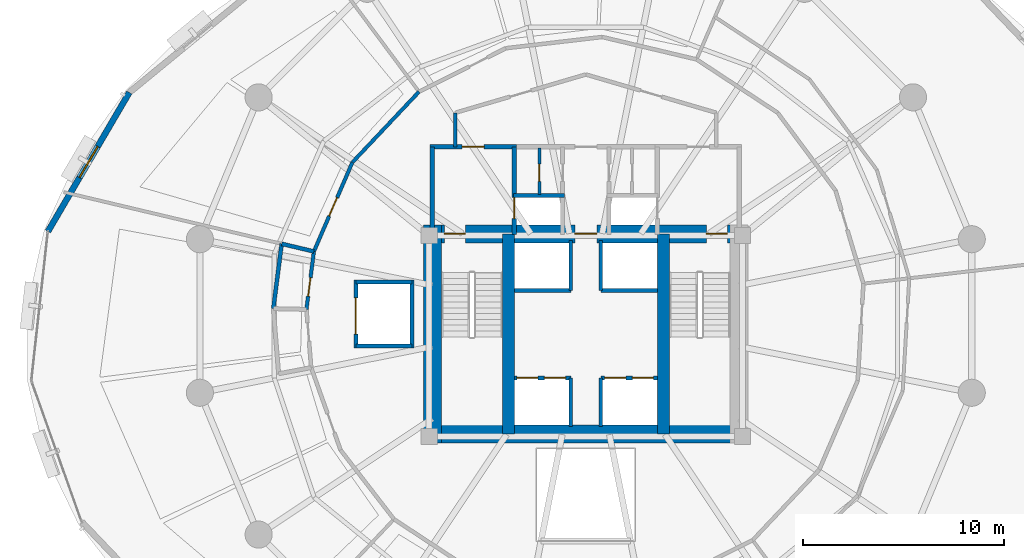
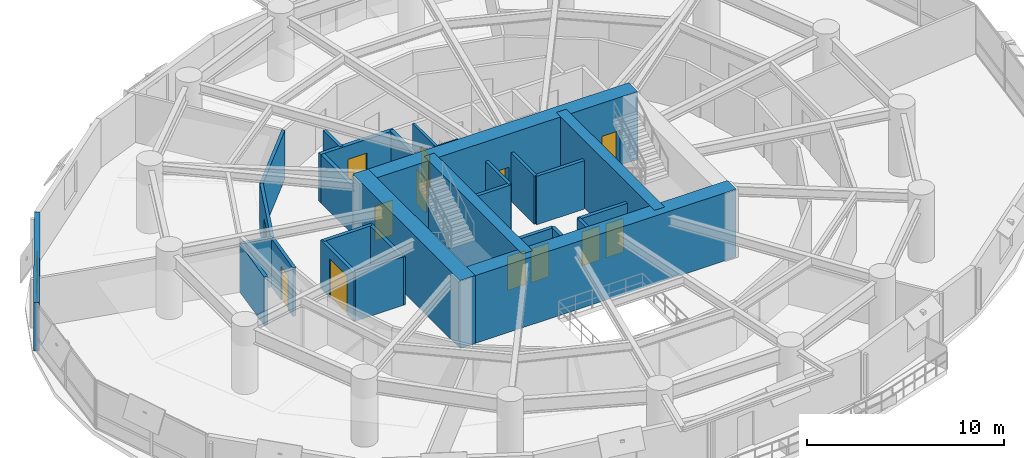
# One storey, part 12 of 17: 29 walls, 13 doors, 1 window, 14 openings.
"""IFC4 building model written with IfcOpenShell, lengths in metres."""

from ifc_helpers import new_model, si_unit, direction, frame, frame_2d, origin, place, context, subcontext, project, spatial, rectangle, extrude, material, layer, layer_set, type_object, element, fill, save


model = new_model("IFC4")

# Units and contexts
model_context = context("Model", 3, precision=1e-05, world=origin(), true_north=direction((0.0, 1.0)))
body_context = subcontext(model_context, "Body", "Model", "MODEL_VIEW")
ifc_project = project(units=[si_unit("LENGTHUNIT", "METRE"), si_unit("AREAUNIT", "SQUARE_METRE"), si_unit("VOLUMEUNIT", "CUBIC_METRE"), si_unit("PLANEANGLEUNIT", "RADIAN"), si_unit("MASSUNIT", "GRAM", prefix="KILO"), si_unit("THERMODYNAMICTEMPERATUREUNIT", "KELVIN"), si_unit("POWERUNIT", "WATT")], contexts=[model_context])

# Site, building, storey
site_placement = place(None, origin())
site = spatial("IfcSite", under=ifc_project, at=site_placement, CompositionType="ELEMENT")
building_placement = place(site_placement, origin())
building = spatial("IfcBuilding", under=site, at=building_placement, Name="Ocrelia Relay Tower", CompositionType="ELEMENT")
storey_placement = place(building_placement, frame((0.0, 0.0, 59.39990234375)))
storey = spatial("IfcBuildingStorey", under=building, at=storey_placement, Name="L13", CompositionType="ELEMENT", Elevation=59.39990234375)

# Wall
ifc_material_1 = material(Name="Concrete C70/85", Category="concrete")
ifc_layer_1 = layer(ifc_material_1, 0.89990234375, Name="Concrete C70/85")
ifc_layer_set_1 = layer_set([ifc_layer_1], Name="Concrete C70/85")
wall_type_1 = type_object("IfcWallType", Name="CW-CORE-900", PredefinedType="SHEAR", material=ifc_layer_set_1)
wall_1_placement = place(storey_placement, frame((25.922119140625, 20.112060546875, 0.0), z_axis=(0.0, 0.0, 1.0), x_axis=(1.0, 0.0, 0.0)))
element("IfcWall", 1, at=wall_1_placement, inside=storey, type_object=wall_type_1, Name="L13 Core Shear Wall S", PredefinedType="SHEAR", context=body_context, shape_type="SweptSolid", body=[
    extrude(rectangle(XDim=16.165771484375, YDim=0.89990234375, at=frame_2d((8.0830078125, 0.0))), origin(), (0.0, 0.0, 1.0), 4.2001953125),
])

# Wall, openings, doors
wall_2_placement = place(storey_placement, frame((25.922119140625, 30.087890625, 0.0), z_axis=(0.0, 0.0, 1.0), x_axis=(1.0, 0.0, 0.0)))
wall_2 = element("IfcWall", 2, at=wall_2_placement, inside=storey, type_object=wall_type_1, Name="L13 Core Shear Wall N", PredefinedType="SHEAR", context=body_context, shape_type="SweptSolid", body=[
    extrude(rectangle(XDim=16.165771484375, YDim=0.89990234375, at=frame_2d((8.0830078125, 0.0))), origin(), (0.0, 0.0, 1.0), 4.2001953125),
])
opening_1_placement = place(wall_2_placement, frame((1.028076171875, 0.0, 0.0)))
opening_1 = element("IfcOpeningElement", 3, at=opening_1_placement, cuts=wall_2, Name="Opening D-FD90", PredefinedType="OPENING", context=body_context, shape_type="SweptSolid", body=[
    extrude(rectangle(XDim=1.050048828125, YDim=2.14990234375, at=frame_2d((0.52490234375, 1.074951171875))), frame((0.0, 0.4599609375, 0.0), z_axis=(0.0, -1.0, 0.0), x_axis=(1.0, 0.0, 0.0)), (0.0, 0.0, 1.0), 0.919921875),
])
opening_2_placement = place(wall_2_placement, frame((14.077880859375, 0.0, 0.0)))
opening_2 = element("IfcOpeningElement", 4, at=opening_2_placement, cuts=wall_2, Name="Opening D-FD90", PredefinedType="OPENING", context=body_context, shape_type="SweptSolid", body=[
    extrude(rectangle(XDim=1.050048828125, YDim=2.14990234375, at=frame_2d((0.52490234375, 1.074951171875))), frame((0.0, 0.4599609375, 0.0), z_axis=(0.0, -1.0, 0.0), x_axis=(1.0, 0.0, 0.0)), (0.0, 0.0, 1.0), 0.919921875),
])
opening_3_placement = place(wall_2_placement, frame((7.528076171875, 0.0, 0.0)))
opening_3 = element("IfcOpeningElement", 5, at=opening_3_placement, cuts=wall_2, Name="Opening D-FD60", PredefinedType="OPENING", context=body_context, shape_type="SweptSolid", body=[
    extrude(rectangle(XDim=1.10009765625, YDim=2.14990234375, at=frame_2d((0.550048828125, 1.074951171875))), frame((0.0, 0.4599609375, 0.0), z_axis=(0.0, -1.0, 0.0), x_axis=(1.0, 0.0, 0.0)), (0.0, 0.0, 1.0), 0.919921875),
])
ifc_material_2 = material(Name="Timber-core 60-min acoustic fire door", Category="wood")
door_type_1 = type_object("IfcDoorType", Name="DR-LOBBY-FD60-1100", OperationType="NOTDEFINED", PredefinedType="DOOR", material=ifc_material_2)
door_1_placement = place(opening_3_placement, origin())
door_1 = element("IfcDoor", 6, at=door_1_placement, inside=storey, type_object=door_type_1, Name="L13 Core Lift Lobby North Fire Door", OperationType="SINGLE_SWING_RIGHT", OverallHeight=2.14990234375, OverallWidth=1.10009765625, PredefinedType="DOOR", context=body_context, shape_type="SweptSolid", body=[
    extrude(rectangle(XDim=1.10009765625, YDim=2.14990234375, at=frame_2d((0.550048828125, 1.074951171875))), frame((0.0, 0.02490234375, 0.0), z_axis=(0.0, -1.0, 0.0), x_axis=(1.0, 0.0, 0.0)), (0.0, 0.0, 1.0), 0.050048828125),
])
fill(opening_3, door_1)
ifc_material_3 = material(Name="Steel S355 90-min fire door", Category="steel")
door_type_2 = type_object("IfcDoorType", Name="DR-STAIR-FD90-1050", OperationType="NOTDEFINED", PredefinedType="DOOR", material=ifc_material_3)
door_2_placement = place(opening_1_placement, origin())
door_2 = element("IfcDoor", 7, at=door_2_placement, inside=storey, type_object=door_type_2, Name="L13 Stair ST1 Fire Door", OperationType="SINGLE_SWING_RIGHT", OverallHeight=2.14990234375, OverallWidth=1.050048828125, PredefinedType="DOOR", context=body_context, shape_type="SweptSolid", body=[
    extrude(rectangle(XDim=1.050048828125, YDim=2.14990234375, at=frame_2d((0.52490234375, 1.074951171875))), frame((0.0, 0.02490234375, 0.0), z_axis=(0.0, -1.0, 0.0), x_axis=(1.0, 0.0, 0.0)), (0.0, 0.0, 1.0), 0.050048828125),
])
fill(opening_1, door_2)
door_3_placement = place(opening_2_placement, origin())
door_3 = element("IfcDoor", 8, at=door_3_placement, inside=storey, type_object=door_type_2, Name="L13 Stair ST2 Fire Door", OperationType="SINGLE_SWING_LEFT", OverallHeight=2.14990234375, OverallWidth=1.050048828125, PredefinedType="DOOR", context=body_context, shape_type="SweptSolid", body=[
    extrude(rectangle(XDim=1.050048828125, YDim=2.14990234375, at=frame_2d((0.52490234375, 1.074951171875))), frame((0.0, 0.02490234375, 0.0), z_axis=(0.0, -1.0, 0.0), x_axis=(1.0, 0.0, 0.0)), (0.0, 0.0, 1.0), 0.050048828125),
])
fill(opening_2, door_3)

# Walls
wall_3_placement = place(storey_placement, frame((26.3720703125, 19.662109375, 0.0), z_axis=(0.0, 0.0, 1.0), x_axis=(0.0, 1.0, 0.0)))
element("IfcWall", 9, at=wall_3_placement, inside=storey, type_object=wall_type_1, Name="L13 Core Shear Wall W", PredefinedType="SHEAR", context=body_context, shape_type="SweptSolid", body=[
    extrude(rectangle(XDim=10.8759765625, YDim=0.89990234375, at=frame_2d((5.43798828125, 0.0))), origin(), (0.0, 0.0, 1.0), 4.2001953125),
])
for number, where, z_axis, x_axis, name in (
    (10, (30.137939453125, 20.112060546875, 0.0), (0.0, 0.0, 1.0), (0.0, 1.0, 0.0), "L13 Core Shear Wall SPW"),
    (11, (37.8720703125, 20.112060546875, 0.0), (0.0, 0.0, 1.0), (0.0, 1.0, 0.0), "L13 Core Shear Wall SPE"),
):
    element("IfcWall", number, at=place(storey_placement, frame(where, z_axis=z_axis, x_axis=x_axis)), inside=storey, type_object=wall_type_1, Name=name, PredefinedType="SHEAR", context=body_context, shape_type="SweptSolid", body=[
        extrude(rectangle(XDim=9.975830078125, YDim=0.60009765625, at=frame_2d((4.98779296875, 0.0))), origin(), (0.0, 0.0, 1.0), 4.2001953125),
    ])
ifc_material_4 = material(Name="Gypsum Fireboard Partition EI60", Category="gypsum")
ifc_layer_2 = layer(ifc_material_4, 0.179931640625, Name="Gypsum Fireboard Partition EI60")
ifc_layer_set_2 = layer_set([ifc_layer_2], Name="Gypsum Fireboard Partition EI60")
wall_type_2 = type_object("IfcWallType", Name="W-CORR-EI60-180", PredefinedType="PARTITIONING", material=ifc_layer_set_2)
wall_4_placement = place(storey_placement, frame((27.5, 34.429931640625, 0.0), z_axis=(0.0, 0.0, 1.0), x_axis=(0.0, 1.0, 0.0)))
element("IfcWall", 12, at=wall_4_placement, inside=storey, type_object=wall_type_2, Name="L13 Smoke Lobby West Return", PredefinedType="PARTITIONING", context=body_context, shape_type="SweptSolid", body=[
    extrude(rectangle(XDim=1.69287109375, YDim=0.179931640625, at=frame_2d((0.846435546875, 0.0))), origin(), (0.0, 0.0, 1.0), 3.0),
])

# Wall, opening, door
wall_5_placement = place(storey_placement, frame((20.4560546875, 29.214111328125, 0.0), z_axis=(0.0, 0.0, 1.0), x_axis=(-0.127854211664, -0.991792972631, 0.0)))
wall_5 = element("IfcWall", 13, at=wall_5_placement, inside=storey, type_object=wall_type_2, Name="L13 Staff Toilet Corridor Wall", PredefinedType="PARTITIONING", context=body_context, shape_type="SweptSolid", body=[
    extrude(rectangle(XDim=2.91015625, YDim=0.179931640625, at=frame_2d((1.455078125, 0.0))), origin(), (0.0, 0.0, 1.0), 3.0),
])
opening_4_placement = place(wall_5_placement, frame((1.321044921875, 0.0, 0.0)))
opening_4 = element("IfcOpeningElement", 14, at=opening_4_placement, cuts=wall_5, Name="Opening D-WC92", PredefinedType="OPENING", context=body_context, shape_type="SweptSolid", body=[
    extrude(rectangle(XDim=0.919921875, YDim=2.10009765625, at=frame_2d((0.4599609375, 1.050048828125))), frame((0.0, 0.10009765625, 0.0), z_axis=(0.0, -1.0, 0.0), x_axis=(1.0, 0.0, 0.0)), (0.0, 0.0, 1.0), 0.199951171875),
])
ifc_material_5 = material(Name="Laminate washroom door", Category="wood")
door_type_3 = type_object("IfcDoorType", Name="DR-WC-920", OperationType="NOTDEFINED", PredefinedType="DOOR", material=ifc_material_5)
door_4_placement = place(opening_4_placement, origin())
door_4 = element("IfcDoor", 15, at=door_4_placement, inside=storey, type_object=door_type_3, Name="L13 Staff Toilet Door", OperationType="SINGLE_SWING_RIGHT", OverallHeight=2.10009765625, OverallWidth=0.919921875, PredefinedType="DOOR", context=body_context, shape_type="SweptSolid", body=[
    extrude(rectangle(XDim=0.919921875, YDim=2.10009765625, at=frame_2d((0.4599609375, 1.050048828125))), frame((0.0, 0.02490234375, 0.0), z_axis=(0.0, -1.0, 0.0), x_axis=(1.0, 0.0, 0.0)), (0.0, 0.0, 1.0), 0.050048828125),
])
fill(opening_4, door_4)

# Wall
wall_6_placement = place(storey_placement, frame((25.69091796875, 37.16796875, 0.0), z_axis=(0.0, 0.0, 1.0), x_axis=(-0.68646187942, -0.727165791346, 0.0)))
element("IfcWall", 16, at=wall_6_placement, inside=storey, type_object=wall_type_2, Name="L13 Executive Reading Study Corridor Partition 1", PredefinedType="PARTITIONING", context=body_context, shape_type="SweptSolid", body=[
    extrude(rectangle(XDim=4.83447265625, YDim=0.179931640625, at=frame_2d((2.417236328125, 0.0))), origin(), (0.0, 0.0, 1.0), 3.0),
])

# Wall, opening, door
wall_7_placement = place(storey_placement, frame((22.372314453125, 33.652587890625, 0.0), z_axis=(0.0, 0.0, 1.0), x_axis=(-0.396374105142, -0.918089085423, 0.0)))
wall_7 = element("IfcWall", 17, at=wall_7_placement, inside=storey, type_object=wall_type_2, Name="L13 Executive Reading Study Corridor Partition 2", PredefinedType="PARTITIONING", context=body_context, shape_type="SweptSolid", body=[
    extrude(rectangle(XDim=4.83447265625, YDim=0.179931640625, at=frame_2d((2.417236328125, 0.0))), origin(), (0.0, 0.0, 1.0), 3.0),
])
opening_5_placement = place(wall_7_placement, frame((1.917236328125, 0.0, 0.0)))
opening_5 = element("IfcOpeningElement", 18, at=opening_5_placement, cuts=wall_7, Name="Opening D-RM100", PredefinedType="OPENING", context=body_context, shape_type="SweptSolid", body=[
    extrude(rectangle(XDim=1.0, YDim=2.14990234375, at=frame_2d((0.5, 1.074951171875))), frame((0.0, 0.10009765625, 0.0), z_axis=(0.0, -1.0, 0.0), x_axis=(1.0, 0.0, 0.0)), (0.0, 0.0, 1.0), 0.199951171875),
])
ifc_material_6 = material(Name="Acoustic oak veneer fire door", Category="wood")
door_type_4 = type_object("IfcDoorType", Name="DR-ROOM-FD60-1000", OperationType="NOTDEFINED", PredefinedType="DOOR", material=ifc_material_6)
door_5_placement = place(opening_5_placement, origin())
door_5 = element("IfcDoor", 19, at=door_5_placement, inside=storey, type_object=door_type_4, Name="L13 Executive Reading Study Entrance Door", OperationType="SINGLE_SWING_LEFT", OverallHeight=2.14990234375, OverallWidth=1.0, PredefinedType="DOOR", context=body_context, shape_type="SweptSolid", body=[
    extrude(rectangle(XDim=1.0, YDim=2.14990234375, at=frame_2d((0.5, 1.074951171875))), frame((0.0, 0.02490234375, 0.0), z_axis=(0.0, -1.0, 0.0), x_axis=(1.0, 0.0, 0.0)), (0.0, 0.0, 1.0), 0.050048828125),
])
fill(opening_5, door_5)

# Wall, opening, window
ifc_material_7 = material(Name="Precast concrete C40/50 with oxide terracotta", Category="masonry")
ifc_layer_3 = layer(ifc_material_7, 0.300048828125, Name="Precast concrete C40/50 with oxide terracotta")
ifc_layer_set_3 = layer_set([ifc_layer_3], Name="Precast concrete C40/50 with oxide terracotta")
wall_type_3 = type_object("IfcWallType", Name="W-EXT-TERR-300", PredefinedType="SOLIDWALL", material=ifc_layer_set_3)
wall_8_placement = place(storey_placement, frame((11.26171875, 37.133056640625, 0.0), z_axis=(0.0, 0.0, 1.0), x_axis=(-0.505259367274, -0.862967538081, 0.0)))
wall_8 = element("IfcWall", 20, at=wall_8_placement, inside=storey, type_object=wall_type_3, Name="L13 Oxide Terracotta Facade Wall 08", PredefinedType="SOLIDWALL", context=body_context, shape_type="SweptSolid", body=[
    extrude(rectangle(XDim=8.021484375, YDim=0.300048828125, at=frame_2d((4.0107421875, 0.0))), origin(), (0.0, 0.0, 1.0), 3.0),
])
opening_6_placement = place(wall_8_placement, frame((3.111083984375, 0.0, 0.800048828125)))
opening_6 = element("IfcOpeningElement", 21, at=opening_6_placement, cuts=wall_8, Name="Opening W-02", PredefinedType="OPENING", context=body_context, shape_type="SweptSolid", body=[
    extrude(rectangle(XDim=1.800048828125, YDim=1.949951171875, at=frame_2d((0.89990234375, 0.97509765625))), frame((0.0, 0.16015625, 0.0), z_axis=(0.0, -1.0, 0.0), x_axis=(1.0, 0.0, 0.0)), (0.0, 0.0, 1.0), 0.320068359375),
])
ifc_material_8 = material(Name="Clear double-glazed low-E glass", Category="glass")
window_type = type_object("IfcWindowType", Name="WIN-Z1-1800x2100", PartitioningType="DOUBLE_PANEL_VERTICAL", PredefinedType="WINDOW", material=ifc_material_8)
window_placement = place(opening_6_placement, origin())
window = element("IfcWindow", 22, at=window_placement, inside=storey, type_object=window_type, Name="L13 Facade Module Window 08", OverallHeight=1.949951171875, OverallWidth=1.800048828125, PartitioningType="SINGLE_PANEL", PredefinedType="WINDOW", context=body_context, shape_type="SweptSolid", body=[
    extrude(rectangle(XDim=1.800048828125, YDim=1.949951171875, at=frame_2d((0.89990234375, 0.97509765625))), frame((0.0, 0.030029296875, 0.0), z_axis=(0.0, -1.0, 0.0), x_axis=(1.0, 0.0, 0.0)), (0.0, 0.0, 1.0), 0.06005859375),
])
fill(opening_6, window)

# Wall
ifc_material_9 = material(Name="Concrete C50/60", Category="concrete")
ifc_layer_4 = layer(ifc_material_9, 0.219970703125, Name="Concrete C50/60")
ifc_layer_set_4 = layer_set([ifc_layer_4], Name="Concrete C50/60")
wall_type_4 = type_object("IfcWallType", Name="W-FFL-EI120-220", PredefinedType="SOLIDWALL", material=ifc_layer_set_4)
wall_9_placement = place(storey_placement, frame((26.35009765625, 30.050048828125, 0.0), z_axis=(0.0, 0.0, 1.0), x_axis=(0.0, 1.0, 0.0)))
element("IfcWall", 23, at=wall_9_placement, inside=storey, type_object=wall_type_4, Name="L13 W Fire Service Lift Lobby West Wall", PredefinedType="SOLIDWALL", context=body_context, shape_type="SweptSolid", body=[
    extrude(rectangle(XDim=4.3798828125, YDim=0.219970703125, at=frame_2d((2.18994140625, 0.0))), origin(), (0.0, 0.0, 1.0), 3.0),
])

# Wall, opening, door
wall_10_placement = place(storey_placement, frame((30.43994140625, 30.050048828125, 0.0), z_axis=(0.0, 0.0, 1.0), x_axis=(0.0, 1.0, 0.0)))
wall_10 = element("IfcWall", 24, at=wall_10_placement, inside=storey, type_object=wall_type_4, Name="L13 W Fire Service Lift Lobby East Wall", PredefinedType="SOLIDWALL", context=body_context, shape_type="SweptSolid", body=[
    extrude(rectangle(XDim=4.3798828125, YDim=0.219970703125, at=frame_2d((2.18994140625, 0.0))), origin(), (0.0, 0.0, 1.0), 3.0),
])
opening_7_placement = place(wall_10_placement, frame((0.800048828125, 0.0, 0.0)))
opening_7 = element("IfcOpeningElement", 25, at=opening_7_placement, cuts=wall_10, Name="Opening LD-FFL1", PredefinedType="OPENING", context=body_context, shape_type="SweptSolid", body=[
    extrude(rectangle(XDim=1.050048828125, YDim=2.10009765625, at=frame_2d((0.52490234375, 1.050048828125))), frame((0.0, 0.1201171875, 0.0), z_axis=(0.0, -1.0, 0.0), x_axis=(1.0, 0.0, 0.0)), (0.0, 0.0, 1.0), 0.239990234375),
])
ifc_material_10 = material(Name="Brushed stainless steel S355 lift landing door", Category="steel")
door_type_5 = type_object("IfcDoorType", Name="DR-LIFT-LAND-1050", OperationType="DOUBLE_DOOR_SLIDING", PredefinedType="USERDEFINED", material=ifc_material_10)
door_6_placement = place(opening_7_placement, origin())
door_6 = element("IfcDoor", 26, at=door_6_placement, inside=storey, type_object=door_type_5, Name="L13 Firefighting Lift FFL1 Sliding Landing Door", ObjectType="LANDING DOOR", OperationType="DOUBLE_DOOR_SLIDING", OverallHeight=2.10009765625, OverallWidth=1.050048828125, PredefinedType="USERDEFINED", context=body_context, shape_type="SweptSolid", body=[
    extrude(rectangle(XDim=1.050048828125, YDim=2.10009765625, at=frame_2d((0.52490234375, 1.050048828125))), frame((0.0, 0.02490234375, 0.0), z_axis=(0.0, -1.0, 0.0), x_axis=(1.0, 0.0, 0.0)), (0.0, 0.0, 1.0), 0.050048828125),
])
fill(opening_7, door_6)

wall_11_placement = place(storey_placement, frame((26.239990234375, 34.429931640625, 0.0), z_axis=(0.0, 0.0, 1.0), x_axis=(1.0, 0.0, 0.0)))
wall_11 = element("IfcWall", 27, at=wall_11_placement, inside=storey, type_object=wall_type_4, Name="L13 W Fire Service Lift Lobby North Wall", PredefinedType="SOLIDWALL", context=body_context, shape_type="SweptSolid", body=[
    extrude(rectangle(XDim=4.31005859375, YDim=0.219970703125, at=frame_2d((2.155029296875, 0.0))), origin(), (0.0, 0.0, 1.0), 3.0),
])
opening_8_placement = place(wall_11_placement, frame((1.60009765625, 0.0, 0.0)))
opening_8 = element("IfcOpeningElement", 28, at=opening_8_placement, cuts=wall_11, Name="Opening D-FD60", PredefinedType="OPENING", context=body_context, shape_type="SweptSolid", body=[
    extrude(rectangle(XDim=1.10009765625, YDim=2.14990234375, at=frame_2d((0.550048828125, 1.074951171875))), frame((0.0, 0.1201171875, 0.0), z_axis=(0.0, -1.0, 0.0), x_axis=(1.0, 0.0, 0.0)), (0.0, 0.0, 1.0), 0.239990234375),
])
door_7_placement = place(opening_8_placement, origin())
door_7 = element("IfcDoor", 29, at=door_7_placement, inside=storey, type_object=door_type_1, Name="L13 W Fire Service Lift Lobby Exit Door", OperationType="SINGLE_SWING_LEFT", OverallHeight=2.14990234375, OverallWidth=1.10009765625, PredefinedType="DOOR", context=body_context, shape_type="SweptSolid", body=[
    extrude(rectangle(XDim=1.10009765625, YDim=2.14990234375, at=frame_2d((0.550048828125, 1.074951171875))), frame((0.0, 0.02490234375, 0.0), z_axis=(0.0, -1.0, 0.0), x_axis=(1.0, 0.0, 0.0)), (0.0, 0.0, 1.0), 0.050048828125),
])
fill(opening_8, door_7)

ifc_material_11 = material(Name="Acoustic Fireboard Partition EI60", Category="gypsum")
ifc_layer_5 = layer(ifc_material_11, 0.14990234375, Name="Acoustic Fireboard Partition EI60")
ifc_layer_set_5 = layer_set([ifc_layer_5], Name="Acoustic Fireboard Partition EI60")
wall_type_5 = type_object("IfcWallType", Name="W-PART-150", PredefinedType="PARTITIONING", material=ifc_layer_set_5)
wall_12_placement = place(storey_placement, frame((31.68994140625, 32.050048828125, 0.0), z_axis=(0.0, 0.0, 1.0), x_axis=(0.0, 1.0, 0.0)))
wall_12 = element("IfcWall", 30, at=wall_12_placement, inside=storey, type_object=wall_type_5, Name="L13 West Core Support Partition", PredefinedType="PARTITIONING", context=body_context, shape_type="SweptSolid", body=[
    extrude(rectangle(XDim=2.329833984375, YDim=0.14990234375, at=frame_2d((1.1650390625, 0.0))), origin(), (0.0, 0.0, 1.0), 3.0),
])
opening_9_placement = place(wall_12_placement, frame((0.64990234375, 0.0, 0.0)))
opening_9 = element("IfcOpeningElement", 31, at=opening_9_placement, cuts=wall_12, Name="Opening D-RS86", PredefinedType="OPENING", context=body_context, shape_type="SweptSolid", body=[
    extrude(rectangle(XDim=0.860107421875, YDim=2.050048828125, at=frame_2d((0.43017578125, 1.02490234375))), frame((0.0, 0.0849609375, 0.0), z_axis=(0.0, -1.0, 0.0), x_axis=(1.0, 0.0, 0.0)), (0.0, 0.0, 1.0), 0.169921875),
])
ifc_material_12 = material(Name="Steel S355 riser access fire door", Category="steel")
door_type_6 = type_object("IfcDoorType", Name="DR-RISER-TRAP-860", OperationType="NOTDEFINED", PredefinedType="TRAPDOOR", material=ifc_material_12)
door_8_placement = place(opening_9_placement, origin())
door_8 = element("IfcDoor", 32, at=door_8_placement, inside=storey, type_object=door_type_6, Name="L13 West Core Store Connecting Door", OperationType="SINGLE_SWING_RIGHT", OverallHeight=2.050048828125, OverallWidth=0.860107421875, PredefinedType="TRAPDOOR", context=body_context, shape_type="SweptSolid", body=[
    extrude(rectangle(XDim=0.860107421875, YDim=2.050048828125, at=frame_2d((0.43017578125, 1.02490234375))), frame((0.0, 0.02490234375, 0.0), z_axis=(0.0, -1.0, 0.0), x_axis=(1.0, 0.0, 0.0)), (0.0, 0.0, 1.0), 0.050048828125),
])
fill(opening_9, door_8)

# Walls
ifc_material_13 = material(Name="Moisture-Resistant Fireboard Chase Wall EI60", Category="gypsum")
ifc_layer_6 = layer(ifc_material_13, 0.199951171875, Name="Moisture-Resistant Fireboard Chase Wall EI60")
ifc_layer_set_6 = layer_set([ifc_layer_6], Name="Moisture-Resistant Fireboard Chase Wall EI60")
wall_type_6 = type_object("IfcWallType", Name="W-PLUMB-200", PredefinedType="PLUMBINGWALL", material=ifc_layer_set_6)
wall_13_placement = place(storey_placement, frame((20.4560546875, 29.214111328125, 0.0), z_axis=(0.0, 0.0, 1.0), x_axis=(-0.972963155025, 0.230960383971, 0.0)))
element("IfcWall", 33, at=wall_13_placement, inside=storey, type_object=wall_type_6, Name="L13 Staff Toilet Plumbing Radial Wall", PredefinedType="PLUMBINGWALL", context=body_context, shape_type="SweptSolid", body=[
    extrude(rectangle(XDim=1.650146484375, YDim=0.199951171875, at=frame_2d((0.8251953125, 0.0))), origin(), (0.0, 0.0, 1.0), 3.0),
])
wall_14_placement = place(storey_placement, frame((18.8505859375, 29.59521484375, 0.0), z_axis=(0.0, 0.0, 1.0), x_axis=(-0.127873768861, -0.991790451273, 0.0)))
element("IfcWall", 34, at=wall_14_placement, inside=storey, type_object=wall_type_6, Name="L13 Staff Toilet Back Plumbing Wall", PredefinedType="PLUMBINGWALL", context=body_context, shape_type="SweptSolid", body=[
    extrude(rectangle(XDim=3.255126953125, YDim=0.199951171875, at=frame_2d((1.62744140625, 0.0))), origin(), (0.0, 0.0, 1.0), 3.0),
])
ifc_layer_7 = layer(ifc_material_9, 0.199951171875, Name="Concrete C50/60")
ifc_layer_set_7 = layer_set([ifc_layer_7], Name="Concrete C50/60")
wall_type_7 = type_object("IfcWallType", Name="W-SHAFT-EI120-200", PredefinedType="SOLIDWALL", material=ifc_layer_set_7)
wall_15_placement = place(storey_placement, frame((30.39990234375, 32.0, 0.0), z_axis=(0.0, 0.0, 1.0), x_axis=(1.0, 0.0, 0.0)))
element("IfcWall", 35, at=wall_15_placement, inside=storey, type_object=wall_type_7, Name="L13 FFL1 Hoistway North Wall", PredefinedType="SOLIDWALL", context=body_context, shape_type="SweptSolid", body=[
    extrude(rectangle(XDim=2.550048828125, YDim=0.199951171875, at=frame_2d((1.27490234375, 0.0))), origin(), (0.0, 0.0, 1.0), 3.0),
])

# Wall, openings, doors
wall_16_placement = place(storey_placement, frame((30.43994140625, 22.919921875, 0.0), z_axis=(0.0, 0.0, 1.0), x_axis=(1.0, 0.0, 0.0)))
wall_16 = element("IfcWall", 36, at=wall_16_placement, inside=storey, type_object=wall_type_7, Name="L13 Low-Rise Lift Hoistway Wall W", PredefinedType="SOLIDWALL", context=body_context, shape_type="SweptSolid", body=[
    extrude(rectangle(XDim=2.81005859375, YDim=0.199951171875, at=frame_2d((1.405029296875, 0.0))), origin(), (0.0, 0.0, 1.0), 3.0),
])
opening_10_placement = place(wall_16_placement, frame((0.1201171875, 0.0, 0.0)))
opening_10 = element("IfcOpeningElement", 37, at=opening_10_placement, cuts=wall_16, Name="Opening LD-PL1", PredefinedType="OPENING", context=body_context, shape_type="SweptSolid", body=[
    extrude(rectangle(XDim=1.050048828125, YDim=2.10009765625, at=frame_2d((0.52490234375, 1.050048828125))), frame((0.0, 0.10986328125, 0.0), z_axis=(0.0, -1.0, 0.0), x_axis=(1.0, 0.0, 0.0)), (0.0, 0.0, 1.0), 0.219970703125),
])
opening_11_placement = place(wall_16_placement, frame((1.5, 0.0, 0.0)))
opening_11 = element("IfcOpeningElement", 38, at=opening_11_placement, cuts=wall_16, Name="Opening LD-PL2", PredefinedType="OPENING", context=body_context, shape_type="SweptSolid", body=[
    extrude(rectangle(XDim=1.050048828125, YDim=2.10009765625, at=frame_2d((0.52490234375, 1.050048828125))), frame((0.0, 0.10986328125, 0.0), z_axis=(0.0, -1.0, 0.0), x_axis=(1.0, 0.0, 0.0)), (0.0, 0.0, 1.0), 0.219970703125),
])
door_9_placement = place(opening_10_placement, origin())
door_9 = element("IfcDoor", 39, at=door_9_placement, inside=storey, type_object=door_type_5, Name="L13 Passenger Lift PL1 Sliding Landing Door", ObjectType="LANDING DOOR", OperationType="DOUBLE_DOOR_SLIDING", OverallHeight=2.10009765625, OverallWidth=1.050048828125, PredefinedType="USERDEFINED", context=body_context, shape_type="SweptSolid", body=[
    extrude(rectangle(XDim=1.050048828125, YDim=2.10009765625, at=frame_2d((0.52490234375, 1.050048828125))), frame((0.0, 0.02490234375, 0.0), z_axis=(0.0, -1.0, 0.0), x_axis=(1.0, 0.0, 0.0)), (0.0, 0.0, 1.0), 0.050048828125),
])
fill(opening_10, door_9)
door_10_placement = place(opening_11_placement, origin())
door_10 = element("IfcDoor", 40, at=door_10_placement, inside=storey, type_object=door_type_5, Name="L13 Passenger Lift PL2 Sliding Landing Door", ObjectType="LANDING DOOR", OperationType="DOUBLE_DOOR_SLIDING", OverallHeight=2.10009765625, OverallWidth=1.050048828125, PredefinedType="USERDEFINED", context=body_context, shape_type="SweptSolid", body=[
    extrude(rectangle(XDim=1.050048828125, YDim=2.10009765625, at=frame_2d((0.52490234375, 1.050048828125))), frame((0.0, 0.02490234375, 0.0), z_axis=(0.0, -1.0, 0.0), x_axis=(1.0, 0.0, 0.0)), (0.0, 0.0, 1.0), 0.050048828125),
])
fill(opening_11, door_10)

# Wall
wall_17_placement = place(storey_placement, frame((33.25, 20.5, 0.0), z_axis=(0.0, 0.0, 1.0), x_axis=(0.0, 1.0, 0.0)))
element("IfcWall", 41, at=wall_17_placement, inside=storey, type_object=wall_type_7, Name="L13 Low-Rise Lift Throat Wall W", PredefinedType="SOLIDWALL", context=body_context, shape_type="SweptSolid", body=[
    extrude(rectangle(XDim=2.419921875, YDim=0.179931640625, at=frame_2d((1.2099609375, 0.0))), origin(), (0.0, 0.0, 1.0), 3.0),
])

# Wall, openings, doors
wall_18_placement = place(storey_placement, frame((34.75, 22.919921875, 0.0), z_axis=(0.0, 0.0, 1.0), x_axis=(1.0, 0.0, 0.0)))
wall_18 = element("IfcWall", 42, at=wall_18_placement, inside=storey, type_object=wall_type_7, Name="L13 Low-Rise Lift Hoistway Wall E", PredefinedType="SOLIDWALL", context=body_context, shape_type="SweptSolid", body=[
    extrude(rectangle(XDim=2.81005859375, YDim=0.199951171875, at=frame_2d((1.405029296875, 0.0))), origin(), (0.0, 0.0, 1.0), 3.0),
])
opening_12_placement = place(wall_18_placement, frame((0.18994140625, 0.0, 0.0)))
opening_12 = element("IfcOpeningElement", 43, at=opening_12_placement, cuts=wall_18, Name="Opening LD-PL3", PredefinedType="OPENING", context=body_context, shape_type="SweptSolid", body=[
    extrude(rectangle(XDim=1.050048828125, YDim=2.10009765625, at=frame_2d((0.52490234375, 1.050048828125))), frame((0.0, 0.10986328125, 0.0), z_axis=(0.0, -1.0, 0.0), x_axis=(1.0, 0.0, 0.0)), (0.0, 0.0, 1.0), 0.219970703125),
])
opening_13_placement = place(wall_18_placement, frame((1.570068359375, 0.0, 0.0)))
opening_13 = element("IfcOpeningElement", 44, at=opening_13_placement, cuts=wall_18, Name="Opening LD-PL4", PredefinedType="OPENING", context=body_context, shape_type="SweptSolid", body=[
    extrude(rectangle(XDim=1.050048828125, YDim=2.10009765625, at=frame_2d((0.52490234375, 1.050048828125))), frame((0.0, 0.10986328125, 0.0), z_axis=(0.0, -1.0, 0.0), x_axis=(1.0, 0.0, 0.0)), (0.0, 0.0, 1.0), 0.219970703125),
])
door_11_placement = place(opening_12_placement, origin())
door_11 = element("IfcDoor", 45, at=door_11_placement, inside=storey, type_object=door_type_5, Name="L13 Passenger Lift PL3 Sliding Landing Door", ObjectType="LANDING DOOR", OperationType="DOUBLE_DOOR_SLIDING", OverallHeight=2.10009765625, OverallWidth=1.050048828125, PredefinedType="USERDEFINED", context=body_context, shape_type="SweptSolid", body=[
    extrude(rectangle(XDim=1.050048828125, YDim=2.10009765625, at=frame_2d((0.52490234375, 1.050048828125))), frame((0.0, 0.02490234375, 0.0), z_axis=(0.0, -1.0, 0.0), x_axis=(1.0, 0.0, 0.0)), (0.0, 0.0, 1.0), 0.050048828125),
])
fill(opening_12, door_11)
door_12_placement = place(opening_13_placement, origin())
door_12 = element("IfcDoor", 46, at=door_12_placement, inside=storey, type_object=door_type_5, Name="L13 Passenger Lift PL4 Sliding Landing Door", ObjectType="LANDING DOOR", OperationType="DOUBLE_DOOR_SLIDING", OverallHeight=2.10009765625, OverallWidth=1.050048828125, PredefinedType="USERDEFINED", context=body_context, shape_type="SweptSolid", body=[
    extrude(rectangle(XDim=1.050048828125, YDim=2.10009765625, at=frame_2d((0.52490234375, 1.050048828125))), frame((0.0, 0.02490234375, 0.0), z_axis=(0.0, -1.0, 0.0), x_axis=(1.0, 0.0, 0.0)), (0.0, 0.0, 1.0), 0.050048828125),
])
fill(opening_13, door_12)

# Walls
wall_19_placement = place(storey_placement, frame((34.75, 20.5, 0.0), z_axis=(0.0, 0.0, 1.0), x_axis=(0.0, 1.0, 0.0)))
element("IfcWall", 47, at=wall_19_placement, inside=storey, type_object=wall_type_7, Name="L13 Low-Rise Lift Throat Wall E", PredefinedType="SOLIDWALL", context=body_context, shape_type="SweptSolid", body=[
    extrude(rectangle(XDim=2.419921875, YDim=0.179931640625, at=frame_2d((1.2099609375, 0.0))), origin(), (0.0, 0.0, 1.0), 3.0),
])
wall_20_placement = place(storey_placement, frame((30.43994140625, 27.280029296875, 0.0), z_axis=(0.0, 0.0, 1.0), x_axis=(1.0, 0.0, 0.0)))
element("IfcWall", 48, at=wall_20_placement, inside=storey, type_object=wall_type_7, Name="L13 High-Rise Lift Hoistway Wall W", PredefinedType="SOLIDWALL", context=body_context, shape_type="SweptSolid", body=[
    extrude(rectangle(XDim=2.81005859375, YDim=0.199951171875, at=frame_2d((1.405029296875, 0.0))), origin(), (0.0, 0.0, 1.0), 3.0),
])
wall_21_placement = place(storey_placement, frame((33.25, 27.280029296875, 0.0), z_axis=(0.0, 0.0, 1.0), x_axis=(0.0, 1.0, 0.0)))
element("IfcWall", 49, at=wall_21_placement, inside=storey, type_object=wall_type_7, Name="L13 High-Rise Lift Throat Wall W", PredefinedType="SOLIDWALL", context=body_context, shape_type="SweptSolid", body=[
    extrude(rectangle(XDim=2.469970703125, YDim=0.179931640625, at=frame_2d((1.23486328125, 0.0))), origin(), (0.0, 0.0, 1.0), 3.0),
])
wall_22_placement = place(storey_placement, frame((34.75, 27.280029296875, 0.0), z_axis=(0.0, 0.0, 1.0), x_axis=(1.0, 0.0, 0.0)))
element("IfcWall", 50, at=wall_22_placement, inside=storey, type_object=wall_type_7, Name="L13 High-Rise Lift Hoistway Wall E", PredefinedType="SOLIDWALL", context=body_context, shape_type="SweptSolid", body=[
    extrude(rectangle(XDim=2.81005859375, YDim=0.199951171875, at=frame_2d((1.405029296875, 0.0))), origin(), (0.0, 0.0, 1.0), 3.0),
])
wall_23_placement = place(storey_placement, frame((34.75, 27.280029296875, 0.0), z_axis=(0.0, 0.0, 1.0), x_axis=(0.0, 1.0, 0.0)))
element("IfcWall", 51, at=wall_23_placement, inside=storey, type_object=wall_type_7, Name="L13 High-Rise Lift Throat Wall E", PredefinedType="SOLIDWALL", context=body_context, shape_type="SweptSolid", body=[
    extrude(rectangle(XDim=2.469970703125, YDim=0.179931640625, at=frame_2d((1.23486328125, 0.0))), origin(), (0.0, 0.0, 1.0), 3.0),
])

# Wall, opening, door
wall_24_placement = place(storey_placement, frame((22.550048828125, 24.39990234375, 0.0), z_axis=(0.0, 0.0, 1.0), x_axis=(0.0, 1.0, 0.0)))
wall_24 = element("IfcWall", 52, at=wall_24_placement, inside=storey, type_object=wall_type_7, Name="L13 Goods Lift Shaft West Wall", PredefinedType="SOLIDWALL", context=body_context, shape_type="SweptSolid", body=[
    extrude(rectangle(XDim=3.400146484375, YDim=0.199951171875, at=frame_2d((1.7001953125, 0.0))), origin(), (0.0, 0.0, 1.0), 3.0),
])
opening_14_placement = place(wall_24_placement, frame((0.699951171875, 0.0, 0.0)))
opening_14 = element("IfcOpeningElement", 53, at=opening_14_placement, cuts=wall_24, Name="Opening LD-GL1", PredefinedType="OPENING", context=body_context, shape_type="SweptSolid", body=[
    extrude(rectangle(XDim=1.800048828125, YDim=2.39990234375, at=frame_2d((0.89990234375, 1.199951171875))), frame((0.0, 0.10986328125, 0.0), z_axis=(0.0, -1.0, 0.0), x_axis=(1.0, 0.0, 0.0)), (0.0, 0.0, 1.0), 0.219970703125),
])
ifc_material_14 = material(Name="Heavy-duty stainless steel S355 goods landing door", Category="steel")
door_type_7 = type_object("IfcDoorType", Name="DR-GOODS-LAND-1800", OperationType="DOUBLE_DOOR_SLIDING", PredefinedType="USERDEFINED", material=ifc_material_14)
door_13_placement = place(opening_14_placement, origin())
door_13 = element("IfcDoor", 54, at=door_13_placement, inside=storey, type_object=door_type_7, Name="L13 Goods Lift GL1 Sliding Landing Door", ObjectType="LANDING DOOR", OperationType="DOUBLE_DOOR_SLIDING", OverallHeight=2.39990234375, OverallWidth=1.800048828125, PredefinedType="USERDEFINED", context=body_context, shape_type="SweptSolid", body=[
    extrude(rectangle(XDim=1.800048828125, YDim=2.39990234375, at=frame_2d((0.89990234375, 1.199951171875))), frame((0.0, 0.02490234375, 0.0), z_axis=(0.0, -1.0, 0.0), x_axis=(1.0, 0.0, 0.0)), (0.0, 0.0, 1.0), 0.050048828125),
])
fill(opening_14, door_13)

# Walls
wall_25_placement = place(storey_placement, frame((25.35009765625, 24.39990234375, 0.0), z_axis=(0.0, 0.0, 1.0), x_axis=(0.0, 1.0, 0.0)))
element("IfcWall", 55, at=wall_25_placement, inside=storey, type_object=wall_type_7, Name="L13 Goods Lift Shaft E Wall", PredefinedType="SOLIDWALL", context=body_context, shape_type="SweptSolid", body=[
    extrude(rectangle(XDim=3.400146484375, YDim=0.199951171875, at=frame_2d((1.7001953125, 0.0))), origin(), (0.0, 0.0, 1.0), 3.0),
])
for number, where, z_axis, x_axis, name in (
    (56, (22.550048828125, 24.5, 0.0), (0.0, 0.0, 1.0), (1.0, 0.0, 0.0), "L13 Goods Lift Shaft S Wall"),
    (57, (22.550048828125, 27.699951171875, 0.0), (0.0, 0.0, 1.0), (1.0, 0.0, 0.0), "L13 Goods Lift Shaft N Wall"),
):
    element("IfcWall", number, at=place(storey_placement, frame(where, z_axis=z_axis, x_axis=x_axis)), inside=storey, type_object=wall_type_7, Name=name, PredefinedType="SOLIDWALL", context=body_context, shape_type="SweptSolid", body=[
        extrude(rectangle(XDim=2.800048828125, YDim=0.199951171875, at=frame_2d((1.39990234375, 0.0))), origin(), (0.0, 0.0, 1.0), 3.0),
    ])

save(model, "model.ifc")
